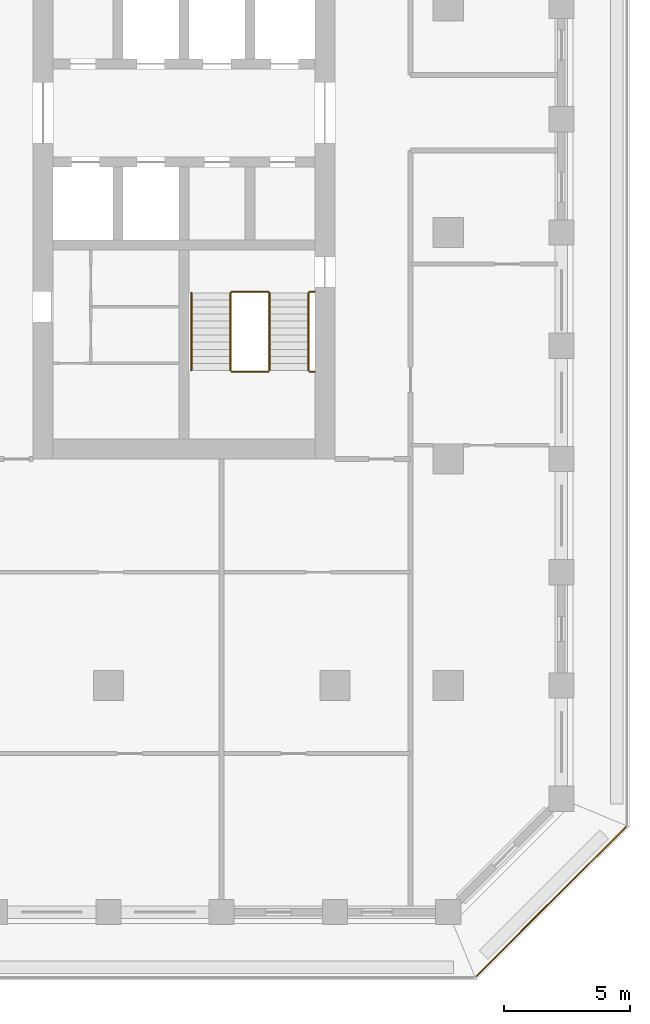
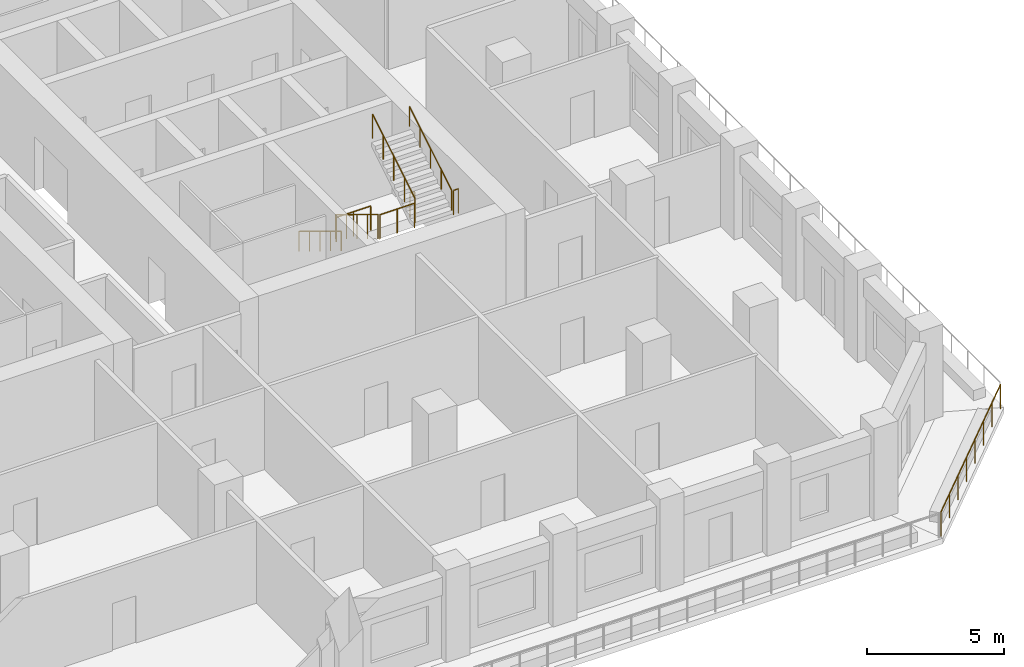
# One storey, part 11 of 16: 9 railings.
"""IFC4 building model written with IfcOpenShell, lengths in metres."""

import ifcopenshell
import ifcopenshell.guid

model = None  # the IFC model being written
_history = None  # IfcOwnerHistory: only IFC2X3 demands one
_inside = {}  # id of a spatial element -> (the spatial element, [elements in it])
_under = {}  # id of a project, library or spatial element -> (it, [spatial elements below it])
_declared = {}  # id of a project -> (the project, [libraries it declares])
_typed = {}  # id of a type object -> (the type object, [elements of that type])
_made_of = {}  # id of a material, layer set ... -> (it, [elements and type objects made of it])


def new_model(schema):
    """Start an empty IFC model of exactly this schema.

    Asked for "IFC4X3", IfcOpenShell would pick the latest addendum, in which some entities
    have other attributes; the version numbers below select the first issue.
    IFC2X3 requires an IfcOwnerHistory on every rooted entity: one is made here for all.
    """
    global model, _history
    if schema == "IFC4X3":
        model = ifcopenshell.file(schema_version=(4, 3, 0, 0))
    else:
        model = ifcopenshell.file(schema=schema)
    _inside.clear()
    _under.clear()
    _declared.clear()
    _typed.clear()
    _made_of.clear()
    _history = None
    if model.schema == "IFC2X3":
        org = make("IfcOrganization", Name="unknown")
        user = make(
            "IfcPersonAndOrganization",
            ThePerson=make("IfcPerson", FamilyName="unknown"),
            TheOrganization=org,
        )
        app = make(
            "IfcApplication",
            ApplicationDeveloper=org,
            Version="unknown",
            ApplicationFullName="unknown",
            ApplicationIdentifier="unknown",
        )
        _history = make(
            "IfcOwnerHistory",
            OwningUser=user,
            OwningApplication=app,
            ChangeAction="ADDED",
            CreationDate=0,
        )
    return model


def make(cls, **values):
    """One entity of the class cls with the attributes given. An attribute that is None is left unset."""
    return model.create_entity(
        cls, **{name: value for name, value in values.items() if value is not None}
    )


def rooted(cls, **values):
    """An entity with a GlobalId (a new one), such as an element, a storey or a relation."""
    return make(cls, GlobalId=ifcopenshell.guid.new(), OwnerHistory=_history, **values)


def si_unit(unit_type, name, prefix=None):
    """IfcSIUnit, for example si_unit("LENGTHUNIT", "METRE", prefix="MILLI")."""
    return make("IfcSIUnit", UnitType=unit_type, Prefix=prefix, Name=name)


def assignment(units):
    """IfcUnitAssignment: the units of a project."""
    return None if units is None else make("IfcUnitAssignment", Units=units)


def point(xyz):
    """IfcCartesianPoint."""
    return None if xyz is None else make("IfcCartesianPoint", Coordinates=xyz)


def direction(xyz):
    """IfcDirection."""
    return None if xyz is None else make("IfcDirection", DirectionRatios=xyz)


def frame(location, z_axis=None, x_axis=None):
    """IfcAxis2Placement3D, a coordinate frame: its origin and axes. An axis left out is left unset."""
    return make(
        "IfcAxis2Placement3D",
        Location=point(location),
        Axis=direction(z_axis),
        RefDirection=direction(x_axis),
    )


def frame_2d(location, x_axis=None):
    """IfcAxis2Placement2D, a coordinate frame in the plane: its origin and x axis."""
    return make(
        "IfcAxis2Placement2D", Location=point(location), RefDirection=direction(x_axis)
    )


def origin():
    """The frame at (0, 0, 0) with its axes left unset."""
    return frame((0.0, 0.0, 0.0))


def origin_2d():
    """The frame at (0, 0) in the plane with its x axis left unset."""
    return frame_2d((0.0, 0.0))


def place(relative_to, where):
    """IfcLocalPlacement: puts the frame where relative to a parent placement (None: the world)."""
    return make(
        "IfcLocalPlacement", PlacementRelTo=relative_to, RelativePlacement=where
    )


def context(
    kind, dimensions, precision=None, world=None, true_north=None, identifier=None
):
    """IfcGeometricRepresentationContext, for example the 3D "Model" context."""
    return make(
        "IfcGeometricRepresentationContext",
        ContextIdentifier=identifier,
        ContextType=kind,
        CoordinateSpaceDimension=dimensions,
        Precision=precision,
        WorldCoordinateSystem=world,
        TrueNorth=true_north,
    )


def subcontext(parent, identifier, kind, view, scale=None):
    """IfcGeometricRepresentationSubContext, for example "Body" below "Model"."""
    return make(
        "IfcGeometricRepresentationSubContext",
        ContextIdentifier=identifier,
        ContextType=kind,
        ParentContext=parent,
        TargetScale=scale,
        TargetView=view,
    )


def project(units=None, contexts=None):
    """IfcProject with its units and contexts."""
    return rooted(
        "IfcProject",
        Name="project",
        RepresentationContexts=contexts,
        UnitsInContext=assignment(units),
    )


def spatial(cls, under=None, at=None, **own):
    """A site, building, storey or space (cls), placed at a placement, below another one or the project."""
    s = rooted(cls, ObjectPlacement=at, **own)
    if under is not None:
        _under.setdefault(under.id(), (under, []))[1].append(s)
    return s


def profile(cls, at=None, kind="AREA", **sizes):
    """A parametric profile (cls). Its sizes go by their IFC names, for example OverallWidth=200.0."""
    return make(cls, ProfileType=kind, Position=at, **sizes)


def circle(**sizes):
    """IfcCircleProfileDef."""
    return profile("IfcCircleProfileDef", **sizes)


def extrude(swept, where, along, depth):
    """IfcExtrudedAreaSolid: the profile swept, set in the frame where, extruded along a direction by depth."""
    return make(
        "IfcExtrudedAreaSolid",
        SweptArea=swept,
        Position=where,
        ExtrudedDirection=direction(along),
        Depth=depth,
    )


def shape(context_of_items, identifier, shape_type, items):
    """IfcShapeRepresentation: the items that make up one representation, for example the "Body"."""
    return make(
        "IfcShapeRepresentation",
        ContextOfItems=context_of_items,
        RepresentationIdentifier=identifier,
        RepresentationType=shape_type,
        Items=items,
    )


def material(Name=None, Category=None):
    """IfcMaterial."""
    return make("IfcMaterial", Name=Name, Category=Category)


def made_of(thing, what):
    """Note that an element or type object is made of a material, layer set ...; save() writes the relation."""
    if what is not None:
        _made_of.setdefault(what.id(), (what, []))[1].append(thing)
    return thing


def type_object(cls, material=None, **own):
    """A type object (cls), such as IfcWallType, which elements share."""
    return made_of(rooted(cls, **own), material)


def element(
    cls,
    number,
    at=None,
    inside=None,
    cuts=None,
    type_object=None,
    material=None,
    context=None,
    identifier="Body",
    shape_type=None,
    held_by="IfcProductDefinitionShape",
    body=None,
    shapes=None,
    **own,
):
    """One element of the class cls, such as IfcWall. Its Tag is "e" and its number.

    at: its placement. inside: the storey or other place that contains it. cuts: it is an
    opening in that element (IfcRelVoidsElement). A single representation is given by context,
    identifier, shape_type and body (its items); several are given by shapes. held_by: the class
    of the entity that holds the representations. save() writes the other relations.
    """
    e = rooted(cls, Tag="e%d" % number, ObjectPlacement=at, **own)
    if body is not None:
        shapes = [shape(context, identifier, shape_type, body)]
    if shapes is not None:
        e.Representation = make(held_by, Representations=shapes)
    if inside is not None:
        _inside.setdefault(inside.id(), (inside, []))[1].append(e)
    if cuts is not None:
        rooted(
            "IfcRelVoidsElement", RelatingBuildingElement=cuts, RelatedOpeningElement=e
        )
    if type_object is not None:
        _typed.setdefault(type_object.id(), (type_object, []))[1].append(e)
    return made_of(e, material)


def aggregate(whole, parts):
    """IfcRelAggregates: a whole, such as a stair, and the parts it consists of."""
    return rooted("IfcRelAggregates", RelatingObject=whole, RelatedObjects=parts)


def save(model, path):
    """Write the relations noted so far, then the file.

    IfcRelAggregates (storeys below a building ...), IfcRelContainedInSpatialStructure (elements
    in a storey), IfcRelDefinesByType, IfcRelAssociatesMaterial and IfcRelDeclares: one each for
    every whole, place, type object, material and project.
    """
    for whole, parts in _under.values():
        aggregate(whole, parts)
    for where, things in _inside.values():
        rooted(
            "IfcRelContainedInSpatialStructure",
            RelatedElements=things,
            RelatingStructure=where,
        )
    for kind, things in _typed.values():
        rooted("IfcRelDefinesByType", RelatedObjects=things, RelatingType=kind)
    for what, things in _made_of.values():
        rooted("IfcRelAssociatesMaterial", RelatedObjects=things, RelatingMaterial=what)
    for by, libraries in _declared.values():
        rooted("IfcRelDeclares", RelatingContext=by, RelatedDefinitions=libraries)
    model.write(path)


model = new_model("IFC4")

# Units and contexts
model_context = context("Model", 3, precision=1e-05, world=origin(), true_north=direction((0.0, 1.0)))
body_context = subcontext(model_context, "Body", "Model", "MODEL_VIEW")
ifc_project = project(units=[si_unit("LENGTHUNIT", "METRE"), si_unit("AREAUNIT", "SQUARE_METRE"), si_unit("VOLUMEUNIT", "CUBIC_METRE"), si_unit("PLANEANGLEUNIT", "RADIAN"), si_unit("MASSUNIT", "GRAM", prefix="KILO")], contexts=[model_context])

# Site, building, storey
site_placement = place(None, origin())
site = spatial("IfcSite", under=ifc_project, at=site_placement, CompositionType="ELEMENT")
building_placement = place(site_placement, origin())
building = spatial("IfcBuilding", under=site, at=building_placement, Name="Corbel Stack Research Tower", CompositionType="ELEMENT")
storey_placement = place(building_placement, frame((0.0, 0.0, 160.89990234375)))
storey = spatial("IfcBuildingStorey", under=building, at=storey_placement, Name="L36", CompositionType="ELEMENT", Elevation=160.89990234375)

# Railings
ifc_material_1 = material(Name="Steel S355", Category="steel")
railing_type_1 = type_object("IfcRailingType", Name="Stair guard 1100", PredefinedType="GUARDRAIL", material=ifc_material_1)
railing_1_placement = place(storey_placement, frame((13.85009765625, -2.39990234375, 0.1708984375)))
element("IfcRailing", 1, at=railing_1_placement, inside=storey, type_object=railing_type_1, Name="L36 ST-E1 stair guard 1", PredefinedType="GUARDRAIL", context=body_context, shape_type="SweptSolid", body=[
    extrude(circle(Radius=0.02392578125, at=origin_2d()), frame((0.0, 0.0, 1.076171875), z_axis=(0.0, -0.853666305674, 0.52082035152), x_axis=(1.0, 0.0, 0.0)), (0.0, 0.0, 1.0), 3.608154296875),
    extrude(circle(Radius=0.02099609375, at=origin_2d()), origin(), (0.0, 0.0, 1.0), 1.052001953125),
    extrude(circle(Radius=0.02099609375, at=origin_2d()), frame((0.0, -0.77001953125, 0.4697265625)), (0.0, 0.0, 1.0), 1.052001953125),
    extrude(circle(Radius=0.02099609375, at=origin_2d()), frame((0.0, -1.5400390625, 0.939453125)), (0.0, 0.0, 1.0), 1.052001953125),
    extrude(circle(Radius=0.02099609375, at=origin_2d()), frame((0.0, -2.31005859375, 1.409423828125)), (0.0, 0.0, 1.0), 1.052001953125),
    extrude(circle(Radius=0.02099609375, at=origin_2d()), frame((0.0, -3.080078125, 1.879150390625)), (0.0, 0.0, 1.0), 1.052001953125),
])
railing_2_placement = place(storey_placement, frame((13.89990234375, -5.530029296875, 2.050048828125)))
element("IfcRailing", 2, at=railing_2_placement, inside=storey, type_object=railing_type_1, Name="L36 ST-E1 stair guard 2", PredefinedType="GUARDRAIL", context=body_context, shape_type="SweptSolid", body=[
    extrude(circle(Radius=0.02392578125, at=origin_2d()), frame((0.0, 0.0, 1.076171875), z_axis=(1.0, 0.0, 0.0), x_axis=(0.0, 1.0, 0.0)), (0.0, 0.0, 1.0), 1.4501953125),
    extrude(circle(Radius=0.02099609375, at=origin_2d()), origin(), (0.0, 0.0, 1.0), 1.052001953125),
    extrude(circle(Radius=0.02099609375, at=origin_2d()), frame((0.72509765625, 0.0, 0.0)), (0.0, 0.0, 1.0), 1.052001953125),
    extrude(circle(Radius=0.02099609375, at=origin_2d()), frame((1.4501953125, 0.0, 0.0)), (0.0, 0.0, 1.0), 1.052001953125),
])
railing_3_placement = place(storey_placement, frame((17.0, -5.530029296875, 2.050048828125)))
element("IfcRailing", 3, at=railing_3_placement, inside=storey, type_object=railing_type_1, Name="L36 ST-E1 stair guard 3", PredefinedType="GUARDRAIL", context=body_context, shape_type="SweptSolid", body=[
    extrude(circle(Radius=0.02392578125, at=origin_2d()), frame((0.0, 0.0, 1.076171875), z_axis=(1.0, 0.0, 0.0), x_axis=(0.0, 1.0, 0.0)), (0.0, 0.0, 1.0), 0.199951171875),
    extrude(circle(Radius=0.02099609375, at=origin_2d()), origin(), (0.0, 0.0, 1.0), 1.052001953125),
    extrude(circle(Radius=0.02099609375, at=origin_2d()), frame((0.199951171875, 0.0, 0.0)), (0.0, 0.0, 1.0), 1.052001953125),
])
railing_4_placement = place(storey_placement, frame((15.39990234375, -5.47998046875, 2.220947265625)))
element("IfcRailing", 4, at=railing_4_placement, inside=storey, type_object=railing_type_1, Name="L36 ST-E1 stair guard 4", PredefinedType="GUARDRAIL", context=body_context, shape_type="SweptSolid", body=[
    extrude(circle(Radius=0.02392578125, at=origin_2d()), frame((0.0, 0.0, 1.076171875), z_axis=(0.0, 0.853666305674, 0.52082035152), x_axis=(-1.0, 0.0, 0.0)), (0.0, 0.0, 1.0), 3.608154296875),
    extrude(circle(Radius=0.02099609375, at=origin_2d()), origin(), (0.0, 0.0, 1.0), 1.052001953125),
    extrude(circle(Radius=0.02099609375, at=origin_2d()), frame((0.0, 0.77001953125, 0.4697265625)), (0.0, 0.0, 1.0), 1.052001953125),
    extrude(circle(Radius=0.02099609375, at=origin_2d()), frame((0.0, 1.5400390625, 0.939453125)), (0.0, 0.0, 1.0), 1.052001953125),
    extrude(circle(Radius=0.02099609375, at=origin_2d()), frame((0.0, 2.31005859375, 1.409423828125)), (0.0, 0.0, 1.0), 1.052001953125),
    extrude(circle(Radius=0.02099609375, at=origin_2d()), frame((0.0, 3.080078125, 1.879150390625)), (0.0, 0.0, 1.0), 1.052001953125),
])
railing_5_placement = place(storey_placement, frame((13.89990234375, -2.35009765625, 0.0)))
element("IfcRailing", 5, at=railing_5_placement, inside=storey, type_object=railing_type_1, Name="L36 ST-E1 stair guard 5", PredefinedType="GUARDRAIL", context=body_context, shape_type="SweptSolid", body=[
    extrude(circle(Radius=0.02392578125, at=origin_2d()), frame((0.0, 0.0, 1.076171875), z_axis=(1.0, 0.0, 0.0), x_axis=(0.0, 1.0, 0.0)), (0.0, 0.0, 1.0), 1.4501953125),
    extrude(circle(Radius=0.02099609375, at=origin_2d()), origin(), (0.0, 0.0, 1.0), 1.052001953125),
    extrude(circle(Radius=0.02099609375, at=origin_2d()), frame((0.72509765625, 0.0, 0.0)), (0.0, 0.0, 1.0), 1.052001953125),
    extrude(circle(Radius=0.02099609375, at=origin_2d()), frame((1.4501953125, 0.0, 0.0)), (0.0, 0.0, 1.0), 1.052001953125),
])
railing_6_placement = place(storey_placement, frame((17.0, -2.35009765625, 0.0)))
element("IfcRailing", 6, at=railing_6_placement, inside=storey, type_object=railing_type_1, Name="L36 ST-E1 stair guard 6", PredefinedType="GUARDRAIL", context=body_context, shape_type="SweptSolid", body=[
    extrude(circle(Radius=0.02392578125, at=origin_2d()), frame((0.0, 0.0, 1.076171875), z_axis=(1.0, 0.0, 0.0), x_axis=(0.0, 1.0, 0.0)), (0.0, 0.0, 1.0), 0.199951171875),
    extrude(circle(Radius=0.02099609375, at=origin_2d()), origin(), (0.0, 0.0, 1.0), 1.052001953125),
    extrude(circle(Radius=0.02099609375, at=origin_2d()), frame((0.199951171875, 0.0, 0.0)), (0.0, 0.0, 1.0), 1.052001953125),
])
ifc_material_2 = material(Name="Steel S355", Category="steel")
railing_type_2 = type_object("IfcRailingType", Name="Stair handrail 900", PredefinedType="HANDRAIL", material=ifc_material_2)
railing_7_placement = place(storey_placement, frame((12.300048828125, -2.39990234375, 0.1708984375)))
element("IfcRailing", 7, at=railing_7_placement, inside=storey, type_object=railing_type_2, Name="L36 ST-E1 stair handrail 1", PredefinedType="HANDRAIL", context=body_context, shape_type="SweptSolid", body=[
    extrude(circle(Radius=0.02392578125, at=origin_2d()), frame((0.0, 0.0, 0.8759765625), z_axis=(0.0, -0.853666305674, 0.52082035152), x_axis=(1.0, 0.0, 0.0)), (0.0, 0.0, 1.0), 3.608154296875),
    extrude(circle(Radius=0.02099609375, at=origin_2d()), origin(), (0.0, 0.0, 1.0), 0.851806640625),
    extrude(circle(Radius=0.02099609375, at=origin_2d()), frame((0.0, -0.77001953125, 0.4697265625)), (0.0, 0.0, 1.0), 0.851806640625),
    extrude(circle(Radius=0.02099609375, at=origin_2d()), frame((0.0, -1.5400390625, 0.939453125)), (0.0, 0.0, 1.0), 0.851806640625),
    extrude(circle(Radius=0.02099609375, at=origin_2d()), frame((0.0, -2.31005859375, 1.409423828125)), (0.0, 0.0, 1.0), 0.851806640625),
    extrude(circle(Radius=0.02099609375, at=origin_2d()), frame((0.0, -3.080078125, 1.879150390625)), (0.0, 0.0, 1.0), 0.851806640625),
])
railing_8_placement = place(storey_placement, frame((16.949951171875, -5.47998046875, 2.220947265625)))
element("IfcRailing", 8, at=railing_8_placement, inside=storey, type_object=railing_type_2, Name="L36 ST-E1 stair handrail 2", PredefinedType="HANDRAIL", context=body_context, shape_type="SweptSolid", body=[
    extrude(circle(Radius=0.02392578125, at=origin_2d()), frame((0.0, 0.0, 0.8759765625), z_axis=(0.0, 0.853666305674, 0.52082035152), x_axis=(-1.0, 0.0, 0.0)), (0.0, 0.0, 1.0), 3.608154296875),
    extrude(circle(Radius=0.02099609375, at=origin_2d()), origin(), (0.0, 0.0, 1.0), 0.851806640625),
    extrude(circle(Radius=0.02099609375, at=origin_2d()), frame((0.0, 0.77001953125, 0.4697265625)), (0.0, 0.0, 1.0), 0.851806640625),
    extrude(circle(Radius=0.02099609375, at=origin_2d()), frame((0.0, 1.5400390625, 0.939453125)), (0.0, 0.0, 1.0), 0.851806640625),
    extrude(circle(Radius=0.02099609375, at=origin_2d()), frame((0.0, 2.31005859375, 1.409423828125)), (0.0, 0.0, 1.0), 0.851806640625),
    extrude(circle(Radius=0.02099609375, at=origin_2d()), frame((0.0, 3.080078125, 1.879150390625)), (0.0, 0.0, 1.0), 0.851806640625),
])
ifc_material_3 = material(Name="Powder-coated steel guard", Category="steel")
railing_type_3 = type_object("IfcRailingType", Name="Steel and glass guard 1100", PredefinedType="GUARDRAIL", material=ifc_material_3)
railing_9_placement = place(storey_placement, frame((23.627685546875, -29.54931640625, 0.0)))
element("IfcRailing", 9, at=railing_9_placement, inside=storey, type_object=railing_type_3, Name="Loggia guard L36 SE", PredefinedType="GUARDRAIL", context=body_context, shape_type="SweptSolid", body=[
    extrude(circle(Radius=0.02392578125, at=origin_2d()), frame((0.0, 0.0, 1.076171875), z_axis=(0.707106781187, 0.707106781187, 0.0), x_axis=(-0.707106781187, 0.707106781187, 0.0)), (0.0, 0.0, 1.0), 8.37451171875),
    extrude(circle(Radius=0.02099609375, at=origin_2d()), origin(), (0.0, 0.0, 1.0), 1.052001953125),
    extrude(circle(Radius=0.02099609375, at=origin_2d()), frame((0.845947265625, 0.845947265625, 0.0)), (0.0, 0.0, 1.0), 1.052001953125),
    extrude(circle(Radius=0.02099609375, at=origin_2d()), frame((1.69189453125, 1.69189453125, 0.0)), (0.0, 0.0, 1.0), 1.052001953125),
    extrude(circle(Radius=0.02099609375, at=origin_2d()), frame((2.537841796875, 2.537841796875, 0.0)), (0.0, 0.0, 1.0), 1.052001953125),
    extrude(circle(Radius=0.02099609375, at=origin_2d()), frame((3.3837890625, 3.3837890625, 0.0)), (0.0, 0.0, 1.0), 1.052001953125),
    extrude(circle(Radius=0.02099609375, at=origin_2d()), frame((4.229736328125, 4.229736328125, 0.0)), (0.0, 0.0, 1.0), 1.052001953125),
    extrude(circle(Radius=0.02099609375, at=origin_2d()), frame((5.07568359375, 5.07568359375, 0.0)), (0.0, 0.0, 1.0), 1.052001953125),
    extrude(circle(Radius=0.02099609375, at=origin_2d()), frame((5.921630859375, 5.921630859375, 0.0)), (0.0, 0.0, 1.0), 1.052001953125),
])

save(model, "model.ifc")
